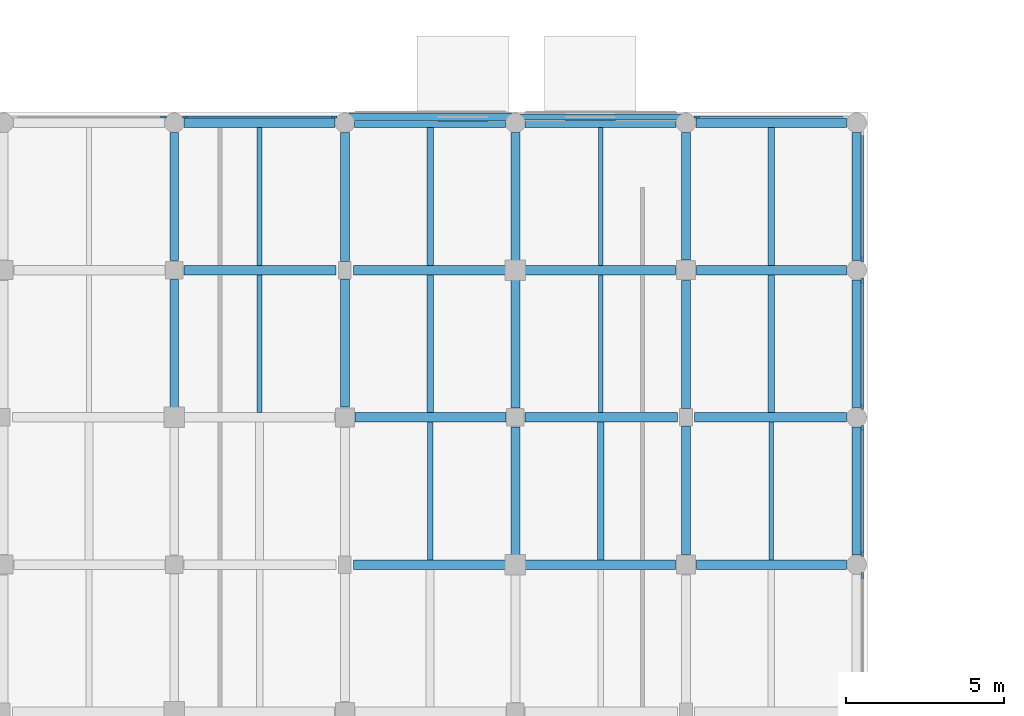
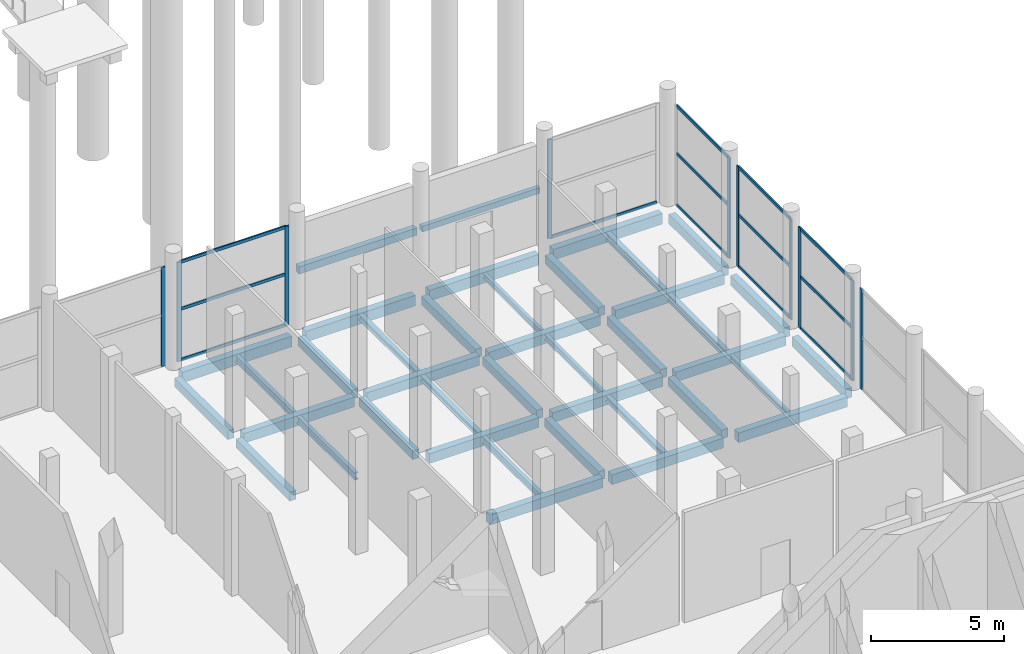
# One storey, part 29 of 88: 40 beams, 23 members, 7 elements without a shape of their own.
"""IFC4 building model written with IfcOpenShell, lengths in metres."""

from ifc_helpers import new_model, si_unit, direction, frame, origin, origin_2d, place, context, subcontext, project, spatial, rectangle, i_section, extrude, material, layer, layer_set, material_profile, profile_set, type_object, element, aggregate, save


model = new_model("IFC4")

# Units and contexts
model_context = context("Model", 3, precision=1e-05, world=origin(), true_north=direction((0.0, 1.0)))
body_context = subcontext(model_context, "Body", "Model", "MODEL_VIEW")
ifc_project = project(units=[si_unit("LENGTHUNIT", "METRE"), si_unit("AREAUNIT", "SQUARE_METRE"), si_unit("VOLUMEUNIT", "CUBIC_METRE"), si_unit("PLANEANGLEUNIT", "RADIAN"), si_unit("MASSUNIT", "GRAM", prefix="KILO")], contexts=[model_context])

# Site, building, storey
site_placement = place(None, origin())
site = spatial("IfcSite", under=ifc_project, at=site_placement, CompositionType="ELEMENT")
building_placement = place(site_placement, origin())
building = spatial("IfcBuilding", under=site, at=building_placement, Name="Birchvale Park Specialist Clinic", CompositionType="ELEMENT")
storey_placement = place(building_placement, origin())
storey = spatial("IfcBuildingStorey", under=building, at=storey_placement, Name="L00", CompositionType="ELEMENT", Elevation=0.0)

# Beams
ifc_material_1 = material(Name="Concrete C40/50", Category="concrete")
ifc_material_profile_1 = material_profile(ifc_material_1, rectangle(XDim=0.300048828125, YDim=0.489990234375, at=origin_2d()), Name="RCB-300x490")
ifc_profile_set_1 = profile_set([ifc_material_profile_1], Name="Concrete C40/50")
beam_type_1 = type_object("IfcBeamType", Name="BM-EXT-BG8", PredefinedType="BEAM", material=ifc_profile_set_1)
for number, where, z_axis, x_axis, name in (
    (1, (68.6171875, 63.050048828125, -0.56494140625), (1.0, 0.0, 0.0), (0.0, 1.0, 0.0), "V1 L00 X girder 43"),
    (2, (74.0029296875, 63.050048828125, -0.56494140625), (1.0, 0.0, 0.0), (0.0, 1.0, 0.0), "V1 L00 X girder 44"),
    (3, (79.388671875, 63.050048828125, -0.56494140625), (1.0, 0.0, 0.0), (0.0, 1.0, 0.0), "V1 L00 X girder 45"),
    (4, (84.7744140625, 63.050048828125, -0.56494140625), (1.0, 0.0, 0.0), (0.0, 1.0, 0.0), "V1 L00 X girder 46"),
):
    element("IfcBeam", number, at=place(storey_placement, frame(where, z_axis=z_axis, x_axis=x_axis)), inside=storey, type_object=beam_type_1, Name=name, PredefinedType="BEAM", context=body_context, shape_type="SweptSolid", body=[
        extrude(rectangle(XDim=0.300048828125, YDim=0.489990234375, at=origin_2d()), origin(), (0.0, 0.0, 1.0), 4.765625),
    ])
ifc_material_profile_2 = material_profile(ifc_material_1, rectangle(XDim=0.280029296875, YDim=0.43994140625, at=origin_2d()), Name="RCB-280x440")
ifc_profile_set_2 = profile_set([ifc_material_profile_2], Name="Concrete C40/50")
beam_type_2 = type_object("IfcBeamType", Name="BM-EXT-BG9", PredefinedType="BEAM", material=ifc_profile_set_2)
for number, where, z_axis, x_axis, name in (
    (5, (89.85009765625, 49.409912109375, -0.5400390625), (0.0, 1.0, 0.0), (-1.0, 0.0, 0.0), "V1 L00 Y girder 88"),
    (6, (89.85009765625, 54.06005859375, -0.5400390625), (0.0, 1.0, 0.0), (-1.0, 0.0, 0.0), "V1 L00 Y girder 89"),
    (7, (89.85009765625, 58.7099609375, -0.5400390625), (0.0, 1.0, 0.0), (-1.0, 0.0, 0.0), "V1 L00 Y girder 90"),
):
    element("IfcBeam", number, at=place(storey_placement, frame(where, z_axis=z_axis, x_axis=x_axis)), inside=storey, type_object=beam_type_2, Name=name, PredefinedType="BEAM", context=body_context, shape_type="SweptSolid", body=[
        extrude(rectangle(XDim=0.280029296875, YDim=0.43994140625, at=origin_2d()), origin(), (0.0, 0.0, 1.0), 4.030029296875),
    ])
ifc_material_profile_3 = material_profile(ifc_material_1, rectangle(XDim=0.300048828125, YDim=0.449951171875, at=origin_2d()), Name="RCB-300x450")
ifc_profile_set_3 = profile_set([ifc_material_profile_3], Name="Concrete C40/50")
beam_type_3 = type_object("IfcBeamType", Name="BM-INT-BG8", PredefinedType="BEAM", material=ifc_profile_set_3)
beam_1_placement = place(storey_placement, frame((73.968017578125, 49.10009765625, -0.544921875), z_axis=(1.0, 0.0, 0.0), x_axis=(0.0, 1.0, 0.0)))
element("IfcBeam", 8, at=beam_1_placement, inside=storey, type_object=beam_type_3, Name="V1 L00 X girder 23", PredefinedType="BEAM", context=body_context, shape_type="SweptSolid", body=[
    extrude(rectangle(XDim=0.300048828125, YDim=0.449951171875, at=origin_2d()), origin(), (0.0, 0.0, 1.0), 4.91064453125),
])
beam_2_placement = place(storey_placement, frame((79.278564453125, 49.10009765625, -0.544921875), z_axis=(1.0, 0.0, 0.0), x_axis=(0.0, 1.0, 0.0)))
element("IfcBeam", 9, at=beam_2_placement, inside=storey, type_object=beam_type_3, Name="V1 L00 X girder 24", PredefinedType="BEAM", context=body_context, shape_type="SweptSolid", body=[
    extrude(rectangle(XDim=0.300048828125, YDim=0.449951171875, at=origin_2d()), origin(), (0.0, 0.0, 1.0), 4.86083984375),
])
beam_3_placement = place(storey_placement, frame((84.789306640625, 49.10009765625, -0.544921875), z_axis=(1.0, 0.0, 0.0), x_axis=(0.0, 1.0, 0.0)))
element("IfcBeam", 10, at=beam_3_placement, inside=storey, type_object=beam_type_3, Name="V1 L00 X girder 25", PredefinedType="BEAM", context=body_context, shape_type="SweptSolid", body=[
    extrude(rectangle(XDim=0.300048828125, YDim=0.449951171875, at=origin_2d()), origin(), (0.0, 0.0, 1.0), 4.750732421875),
])
beam_4_placement = place(storey_placement, frame((74.017822265625, 53.75, -0.544921875), z_axis=(1.0, 0.0, 0.0), x_axis=(0.0, 1.0, 0.0)))
element("IfcBeam", 11, at=beam_4_placement, inside=storey, type_object=beam_type_3, Name="V1 L00 X girder 30", PredefinedType="BEAM", context=body_context, shape_type="SweptSolid", body=[
    extrude(rectangle(XDim=0.300048828125, YDim=0.449951171875, at=origin_2d()), origin(), (0.0, 0.0, 1.0), 4.7607421875),
])
beam_5_placement = place(storey_placement, frame((79.378662109375, 53.75, -0.544921875), z_axis=(1.0, 0.0, 0.0), x_axis=(0.0, 1.0, 0.0)))
element("IfcBeam", 12, at=beam_5_placement, inside=storey, type_object=beam_type_3, Name="V1 L00 X girder 31", PredefinedType="BEAM", context=body_context, shape_type="SweptSolid", body=[
    extrude(rectangle(XDim=0.300048828125, YDim=0.449951171875, at=origin_2d()), origin(), (0.0, 0.0, 1.0), 4.810546875),
])
beam_6_placement = place(storey_placement, frame((84.7392578125, 53.75, -0.544921875), z_axis=(1.0, 0.0, 0.0), x_axis=(0.0, 1.0, 0.0)))
element("IfcBeam", 13, at=beam_6_placement, inside=storey, type_object=beam_type_3, Name="V1 L00 X girder 32", PredefinedType="BEAM", context=body_context, shape_type="SweptSolid", body=[
    extrude(rectangle(XDim=0.300048828125, YDim=0.449951171875, at=origin_2d()), origin(), (0.0, 0.0, 1.0), 4.80078125),
])
beam_7_placement = place(storey_placement, frame((68.607177734375, 58.39990234375, -0.544921875), z_axis=(1.0, 0.0, 0.0), x_axis=(0.0, 1.0, 0.0)))
element("IfcBeam", 14, at=beam_7_placement, inside=storey, type_object=beam_type_3, Name="V1 L00 X girder 36", PredefinedType="BEAM", context=body_context, shape_type="SweptSolid", body=[
    extrude(rectangle(XDim=0.300048828125, YDim=0.449951171875, at=origin_2d()), origin(), (0.0, 0.0, 1.0), 4.810791015625),
])
beam_8_placement = place(storey_placement, frame((73.968017578125, 58.39990234375, -0.544921875), z_axis=(1.0, 0.0, 0.0), x_axis=(0.0, 1.0, 0.0)))
element("IfcBeam", 15, at=beam_8_placement, inside=storey, type_object=beam_type_3, Name="V1 L00 X girder 37", PredefinedType="BEAM", context=body_context, shape_type="SweptSolid", body=[
    extrude(rectangle(XDim=0.300048828125, YDim=0.449951171875, at=origin_2d()), origin(), (0.0, 0.0, 1.0), 4.91064453125),
])
beam_9_placement = place(storey_placement, frame((79.278564453125, 58.39990234375, -0.544921875), z_axis=(1.0, 0.0, 0.0), x_axis=(0.0, 1.0, 0.0)))
element("IfcBeam", 16, at=beam_9_placement, inside=storey, type_object=beam_type_3, Name="V1 L00 X girder 38", PredefinedType="BEAM", context=body_context, shape_type="SweptSolid", body=[
    extrude(rectangle(XDim=0.300048828125, YDim=0.449951171875, at=origin_2d()), origin(), (0.0, 0.0, 1.0), 4.86083984375),
])
beam_10_placement = place(storey_placement, frame((84.789306640625, 58.39990234375, -0.544921875), z_axis=(1.0, 0.0, 0.0), x_axis=(0.0, 1.0, 0.0)))
element("IfcBeam", 17, at=beam_10_placement, inside=storey, type_object=beam_type_3, Name="V1 L00 X girder 39", PredefinedType="BEAM", context=body_context, shape_type="SweptSolid", body=[
    extrude(rectangle(XDim=0.300048828125, YDim=0.449951171875, at=origin_2d()), origin(), (0.0, 0.0, 1.0), 4.750732421875),
])
ifc_material_profile_4 = material_profile(ifc_material_1, rectangle(XDim=0.280029296875, YDim=0.39990234375, at=origin_2d()), Name="RCB-280x400")
ifc_profile_set_4 = profile_set([ifc_material_profile_4], Name="Concrete C40/50")
beam_type_4 = type_object("IfcBeamType", Name="BM-INT-BG9", PredefinedType="BEAM", material=ifc_profile_set_4)
beam_11_placement = place(storey_placement, frame((68.30712890625, 54.02490234375, -0.52001953125), z_axis=(0.0, 1.0, 0.0), x_axis=(-1.0, 0.0, 0.0)))
element("IfcBeam", 18, at=beam_11_placement, inside=storey, type_object=beam_type_4, Name="V1 L00 Y girder 65", PredefinedType="BEAM", context=body_context, shape_type="SweptSolid", body=[
    extrude(rectangle(XDim=0.280029296875, YDim=0.39990234375, at=origin_2d()), origin(), (0.0, 0.0, 1.0), 4.0751953125),
])
beam_12_placement = place(storey_placement, frame((68.30712890625, 58.699951171875, -0.52001953125), z_axis=(0.0, 1.0, 0.0), x_axis=(-1.0, 0.0, 0.0)))
element("IfcBeam", 19, at=beam_12_placement, inside=storey, type_object=beam_type_4, Name="V1 L00 Y girder 66", PredefinedType="BEAM", context=body_context, shape_type="SweptSolid", body=[
    extrude(rectangle(XDim=0.280029296875, YDim=0.39990234375, at=origin_2d()), origin(), (0.0, 0.0, 1.0), 4.0400390625),
])
beam_13_placement = place(storey_placement, frame((73.69287109375, 54.074951171875, -0.52001953125), z_axis=(0.0, 1.0, 0.0), x_axis=(-1.0, 0.0, 0.0)))
element("IfcBeam", 20, at=beam_13_placement, inside=storey, type_object=beam_type_4, Name="V1 L00 Y girder 71", PredefinedType="BEAM", context=body_context, shape_type="SweptSolid", body=[
    extrude(rectangle(XDim=0.280029296875, YDim=0.39990234375, at=origin_2d()), origin(), (0.0, 0.0, 1.0), 4.050048828125),
])
beam_14_placement = place(storey_placement, frame((73.69287109375, 58.675048828125, -0.52001953125), z_axis=(0.0, 1.0, 0.0), x_axis=(-1.0, 0.0, 0.0)))
element("IfcBeam", 21, at=beam_14_placement, inside=storey, type_object=beam_type_4, Name="V1 L00 Y girder 72", PredefinedType="BEAM", context=body_context, shape_type="SweptSolid", body=[
    extrude(rectangle(XDim=0.280029296875, YDim=0.39990234375, at=origin_2d()), origin(), (0.0, 0.0, 1.0), 4.06494140625),
])
for number, where, z_axis, x_axis, name in (
    (22, (79.07861328125, 49.375, -0.52001953125), (0.0, 1.0, 0.0), (-1.0, 0.0, 0.0), "V1 L00 Y girder 76"),
    (23, (79.07861328125, 54.050048828125, -0.52001953125), (0.0, 1.0, 0.0), (-1.0, 0.0, 0.0), "V1 L00 Y girder 77"),
):
    element("IfcBeam", number, at=place(storey_placement, frame(where, z_axis=z_axis, x_axis=x_axis)), inside=storey, type_object=beam_type_4, Name=name, PredefinedType="BEAM", context=body_context, shape_type="SweptSolid", body=[
        extrude(rectangle(XDim=0.280029296875, YDim=0.39990234375, at=origin_2d()), origin(), (0.0, 0.0, 1.0), 4.074951171875),
    ])
beam_15_placement = place(storey_placement, frame((79.07861328125, 58.675048828125, -0.52001953125), z_axis=(0.0, 1.0, 0.0), x_axis=(-1.0, 0.0, 0.0)))
element("IfcBeam", 24, at=beam_15_placement, inside=storey, type_object=beam_type_4, Name="V1 L00 Y girder 78", PredefinedType="BEAM", context=body_context, shape_type="SweptSolid", body=[
    extrude(rectangle(XDim=0.280029296875, YDim=0.39990234375, at=origin_2d()), origin(), (0.0, 0.0, 1.0), 4.06494140625),
])
for number, where, z_axis, x_axis, name in (
    (25, (84.46435546875, 49.425048828125, -0.52001953125), (0.0, 1.0, 0.0), (-1.0, 0.0, 0.0), "V1 L00 Y girder 82"),
    (26, (84.46435546875, 54.02490234375, -0.52001953125), (0.0, 1.0, 0.0), (-1.0, 0.0, 0.0), "V1 L00 Y girder 83"),
):
    element("IfcBeam", number, at=place(storey_placement, frame(where, z_axis=z_axis, x_axis=x_axis)), inside=storey, type_object=beam_type_4, Name=name, PredefinedType="BEAM", context=body_context, shape_type="SweptSolid", body=[
        extrude(rectangle(XDim=0.280029296875, YDim=0.39990234375, at=origin_2d()), origin(), (0.0, 0.0, 1.0), 4.050048828125),
    ])
beam_16_placement = place(storey_placement, frame((84.46435546875, 58.72509765625, -0.52001953125), z_axis=(0.0, 1.0, 0.0), x_axis=(-1.0, 0.0, 0.0)))
element("IfcBeam", 27, at=beam_16_placement, inside=storey, type_object=beam_type_4, Name="V1 L00 Y girder 84", PredefinedType="BEAM", context=body_context, shape_type="SweptSolid", body=[
    extrude(rectangle(XDim=0.280029296875, YDim=0.39990234375, at=origin_2d()), origin(), (0.0, 0.0, 1.0), 4.014892578125),
])

# Curtain wall, member
ifc_material_2 = material(Name="Thermally broken anodised aluminium", Category="aluminium")
ifc_layer = layer(ifc_material_2, 0.195068359375)
ifc_layer_set = layer_set([ifc_layer], Name="Thermally broken anodised aluminium")
curtain_wall_type = type_object("IfcCurtainWallType", Name="CW-U2", PredefinedType="USERDEFINED", material=ifc_layer_set)
curtain_wall_1_placement = place(storey_placement, origin())
curtain_wall_1 = element("IfcCurtainWall", 28, at=curtain_wall_1_placement, inside=storey, type_object=curtain_wall_type, Name="V1 L00 glazed curtain wall 2", ObjectType="UNITISED", PredefinedType="USERDEFINED")
ifc_material_profile_5 = material_profile(ifc_material_2, rectangle(XDim=0.06494140625, YDim=0.179931640625, at=origin_2d()), Name="CWM-65x180")
ifc_profile_set_5 = profile_set([ifc_material_profile_5], Name="Thermally broken anodised aluminium")
member_type_1 = type_object("IfcMemberType", Name="CWM2", PredefinedType="MULLION", material=ifc_profile_set_5)
member_1_placement = place(storey_placement, frame((90.034912109375, 48.757568359375, 0.0), z_axis=(0.0, 0.0, 1.0), x_axis=(-1.0, 0.0, 0.0)))
member_1 = element("IfcMember", 29, at=member_1_placement, type_object=member_type_1, Name="CW mullion 2", PredefinedType="MULLION", context=body_context, shape_type="SweptSolid", body=[
    extrude(rectangle(XDim=0.06494140625, YDim=0.179931640625, at=origin_2d()), origin(), (0.0, 0.0, 1.0), 4.625),
])
aggregate(curtain_wall_1, [member_1])

# Curtain wall, members
curtain_wall_2_placement = place(storey_placement, origin())
curtain_wall_2 = element("IfcCurtainWall", 30, at=curtain_wall_2_placement, inside=storey, type_object=curtain_wall_type, Name="V1 L00 glazed curtain wall 3", ObjectType="UNITISED", PredefinedType="USERDEFINED")
member_2_placement = place(storey_placement, frame((90.034912109375, 49.4423828125, 0.0), z_axis=(0.0, 0.0, 1.0), x_axis=(-1.0, 0.0, 0.0)))
member_2 = element("IfcMember", 31, at=member_2_placement, type_object=member_type_1, Name="CW mullion 1", PredefinedType="MULLION", context=body_context, shape_type="SweptSolid", body=[
    extrude(rectangle(XDim=0.06494140625, YDim=0.179931640625, at=origin_2d()), origin(), (0.0, 0.0, 1.0), 4.625),
])
member_3_placement = place(storey_placement, frame((90.034912109375, 53.407470703125, 0.0), z_axis=(0.0, 0.0, 1.0), x_axis=(-1.0, 0.0, 0.0)))
member_3 = element("IfcMember", 32, at=member_3_placement, type_object=member_type_1, Name="CW mullion 2", PredefinedType="MULLION", context=body_context, shape_type="SweptSolid", body=[
    extrude(rectangle(XDim=0.06494140625, YDim=0.179931640625, at=origin_2d()), origin(), (0.0, 0.0, 1.0), 4.625),
])

curtain_wall_3_placement = place(storey_placement, origin())
curtain_wall_3 = element("IfcCurtainWall", 33, at=curtain_wall_3_placement, inside=storey, type_object=curtain_wall_type, Name="V1 L00 glazed curtain wall 4", ObjectType="UNITISED", PredefinedType="USERDEFINED")
member_4_placement = place(storey_placement, frame((90.034912109375, 54.092529296875, 0.0), z_axis=(0.0, 0.0, 1.0), x_axis=(-1.0, 0.0, 0.0)))
member_4 = element("IfcMember", 34, at=member_4_placement, type_object=member_type_1, Name="CW mullion 1", PredefinedType="MULLION", context=body_context, shape_type="SweptSolid", body=[
    extrude(rectangle(XDim=0.06494140625, YDim=0.179931640625, at=origin_2d()), origin(), (0.0, 0.0, 1.0), 4.625),
])
member_5_placement = place(storey_placement, frame((90.034912109375, 58.0576171875, 0.0), z_axis=(0.0, 0.0, 1.0), x_axis=(-1.0, 0.0, 0.0)))
member_5 = element("IfcMember", 35, at=member_5_placement, type_object=member_type_1, Name="CW mullion 2", PredefinedType="MULLION", context=body_context, shape_type="SweptSolid", body=[
    extrude(rectangle(XDim=0.06494140625, YDim=0.179931640625, at=origin_2d()), origin(), (0.0, 0.0, 1.0), 4.625),
])

# Curtain wall, member
curtain_wall_4_placement = place(storey_placement, origin())
curtain_wall_4 = element("IfcCurtainWall", 36, at=curtain_wall_4_placement, inside=storey, type_object=curtain_wall_type, Name="V1 L00 glazed curtain wall 5", ObjectType="UNITISED", PredefinedType="USERDEFINED")
member_6_placement = place(storey_placement, frame((90.034912109375, 58.742431640625, 0.0), z_axis=(0.0, 0.0, 1.0), x_axis=(-1.0, 0.0, 0.0)))
member_6 = element("IfcMember", 37, at=member_6_placement, type_object=member_type_1, Name="CW mullion 1", PredefinedType="MULLION", context=body_context, shape_type="SweptSolid", body=[
    extrude(rectangle(XDim=0.06494140625, YDim=0.179931640625, at=origin_2d()), origin(), (0.0, 0.0, 1.0), 4.625),
])

curtain_wall_5_placement = place(storey_placement, origin())
curtain_wall_5 = element("IfcCurtainWall", 38, at=curtain_wall_5_placement, inside=storey, type_object=curtain_wall_type, Name="V1 L00 glazed curtain wall 6", ObjectType="UNITISED", PredefinedType="USERDEFINED")
member_7_placement = place(storey_placement, frame((84.806884765625, 63.235107421875, 0.0), z_axis=(0.0, 0.0, 1.0), x_axis=(0.0, -1.0, 0.0)))
member_7 = element("IfcMember", 39, at=member_7_placement, type_object=member_type_1, Name="CW mullion 2", PredefinedType="MULLION", context=body_context, shape_type="SweptSolid", body=[
    extrude(rectangle(XDim=0.06494140625, YDim=0.179931640625, at=origin_2d()), origin(), (0.0, 0.0, 1.0), 4.574951171875),
])

# Curtain wall, members
curtain_wall_6_placement = place(storey_placement, origin())
curtain_wall_6 = element("IfcCurtainWall", 40, at=curtain_wall_6_placement, inside=storey, type_object=curtain_wall_type, Name="V1 L00 glazed curtain wall 7", ObjectType="UNITISED", PredefinedType="USERDEFINED")
member_8_placement = place(storey_placement, frame((73.350341796875, 63.235107421875, 0.0), z_axis=(0.0, 0.0, 1.0), x_axis=(0.0, -1.0, 0.0)))
member_8 = element("IfcMember", 41, at=member_8_placement, type_object=member_type_1, Name="CW mullion 1", PredefinedType="MULLION", context=body_context, shape_type="SweptSolid", body=[
    extrude(rectangle(XDim=0.06494140625, YDim=0.179931640625, at=origin_2d()), origin(), (0.0, 0.0, 1.0), 4.574951171875),
])
member_9_placement = place(storey_placement, frame((68.649658203125, 63.235107421875, 0.0), z_axis=(0.0, 0.0, 1.0), x_axis=(0.0, -1.0, 0.0)))
member_9 = element("IfcMember", 42, at=member_9_placement, type_object=member_type_1, Name="CW mullion 2", PredefinedType="MULLION", context=body_context, shape_type="SweptSolid", body=[
    extrude(rectangle(XDim=0.06494140625, YDim=0.179931640625, at=origin_2d()), origin(), (0.0, 0.0, 1.0), 4.574951171875),
])

# Curtain wall, member
curtain_wall_7_placement = place(storey_placement, origin())
curtain_wall_7 = element("IfcCurtainWall", 43, at=curtain_wall_7_placement, inside=storey, type_object=curtain_wall_type, Name="V1 L00 glazed curtain wall 8", ObjectType="UNITISED", PredefinedType="USERDEFINED")
member_10_placement = place(storey_placement, frame((67.964599609375, 63.235107421875, 0.0), z_axis=(0.0, 0.0, 1.0), x_axis=(0.0, -1.0, 0.0)))
member_10 = element("IfcMember", 44, at=member_10_placement, type_object=member_type_1, Name="CW mullion 1", PredefinedType="MULLION", context=body_context, shape_type="SweptSolid", body=[
    extrude(rectangle(XDim=0.06494140625, YDim=0.179931640625, at=origin_2d()), origin(), (0.0, 0.0, 1.0), 4.574951171875),
])
aggregate(curtain_wall_7, [member_10])

# Member
ifc_material_profile_6 = material_profile(ifc_material_2, rectangle(XDim=0.06494140625, YDim=0.139892578125, at=origin_2d()), Name="CWT-65x140")
ifc_profile_set_6 = profile_set([ifc_material_profile_6], Name="Thermally broken anodised aluminium")
member_type_2 = type_object("IfcMemberType", Name="CWT2", PredefinedType="USERDEFINED", material=ifc_profile_set_6)
member_11_placement = place(storey_placement, frame((90.034912109375, 49.47509765625, 0.032470703125), z_axis=(0.0, 1.0, 0.0), x_axis=(-1.0, 0.0, 0.0)))
member_11 = element("IfcMember", 45, at=member_11_placement, type_object=member_type_2, Name="CW transom 1.1", ObjectType="TRANSOM", PredefinedType="USERDEFINED", context=body_context, shape_type="SweptSolid", body=[
    extrude(rectangle(XDim=0.06494140625, YDim=0.139892578125, at=origin_2d()), origin(), (0.0, 0.0, 1.0), 3.89990234375),
])

member_12_placement = place(storey_placement, frame((90.034912109375, 49.47509765625, 2.405029296875), z_axis=(0.0, 1.0, 0.0), x_axis=(-1.0, 0.0, 0.0)))
member_12 = element("IfcMember", 46, at=member_12_placement, type_object=member_type_2, Name="CW transom 1.2", ObjectType="TRANSOM", PredefinedType="USERDEFINED", context=body_context, shape_type="SweptSolid", body=[
    extrude(rectangle(XDim=0.06494140625, YDim=0.139892578125, at=origin_2d()), origin(), (0.0, 0.0, 1.0), 3.89990234375),
])

member_13_placement = place(storey_placement, frame((90.034912109375, 49.47509765625, 4.592529296875), z_axis=(0.0, 1.0, 0.0), x_axis=(-1.0, 0.0, 0.0)))
member_13 = element("IfcMember", 47, at=member_13_placement, type_object=member_type_2, Name="CW transom 1.3", ObjectType="TRANSOM", PredefinedType="USERDEFINED", context=body_context, shape_type="SweptSolid", body=[
    extrude(rectangle(XDim=0.06494140625, YDim=0.139892578125, at=origin_2d()), origin(), (0.0, 0.0, 1.0), 3.89990234375),
])

aggregate(curtain_wall_2, [member_2, member_3, member_11, member_12, member_13])

member_14_placement = place(storey_placement, frame((90.034912109375, 54.125, 0.032470703125), z_axis=(0.0, 1.0, 0.0), x_axis=(-1.0, 0.0, 0.0)))
member_14 = element("IfcMember", 48, at=member_14_placement, type_object=member_type_2, Name="CW transom 1.1", ObjectType="TRANSOM", PredefinedType="USERDEFINED", context=body_context, shape_type="SweptSolid", body=[
    extrude(rectangle(XDim=0.06494140625, YDim=0.139892578125, at=origin_2d()), origin(), (0.0, 0.0, 1.0), 3.89990234375),
])

member_15_placement = place(storey_placement, frame((90.034912109375, 54.125, 2.405029296875), z_axis=(0.0, 1.0, 0.0), x_axis=(-1.0, 0.0, 0.0)))
member_15 = element("IfcMember", 49, at=member_15_placement, type_object=member_type_2, Name="CW transom 1.2", ObjectType="TRANSOM", PredefinedType="USERDEFINED", context=body_context, shape_type="SweptSolid", body=[
    extrude(rectangle(XDim=0.06494140625, YDim=0.139892578125, at=origin_2d()), origin(), (0.0, 0.0, 1.0), 3.89990234375),
])

member_16_placement = place(storey_placement, frame((90.034912109375, 54.125, 4.592529296875), z_axis=(0.0, 1.0, 0.0), x_axis=(-1.0, 0.0, 0.0)))
member_16 = element("IfcMember", 50, at=member_16_placement, type_object=member_type_2, Name="CW transom 1.3", ObjectType="TRANSOM", PredefinedType="USERDEFINED", context=body_context, shape_type="SweptSolid", body=[
    extrude(rectangle(XDim=0.06494140625, YDim=0.139892578125, at=origin_2d()), origin(), (0.0, 0.0, 1.0), 3.89990234375),
])

aggregate(curtain_wall_3, [member_4, member_5, member_14, member_15, member_16])

member_17_placement = place(storey_placement, frame((90.034912109375, 58.77490234375, 0.032470703125), z_axis=(0.0, 1.0, 0.0), x_axis=(-1.0, 0.0, 0.0)))
member_17 = element("IfcMember", 51, at=member_17_placement, type_object=member_type_2, Name="CW transom 1.1", ObjectType="TRANSOM", PredefinedType="USERDEFINED", context=body_context, shape_type="SweptSolid", body=[
    extrude(rectangle(XDim=0.06494140625, YDim=0.139892578125, at=origin_2d()), origin(), (0.0, 0.0, 1.0), 3.900146484375),
])

member_18_placement = place(storey_placement, frame((90.034912109375, 58.77490234375, 2.405029296875), z_axis=(0.0, 1.0, 0.0), x_axis=(-1.0, 0.0, 0.0)))
member_18 = element("IfcMember", 52, at=member_18_placement, type_object=member_type_2, Name="CW transom 1.2", ObjectType="TRANSOM", PredefinedType="USERDEFINED", context=body_context, shape_type="SweptSolid", body=[
    extrude(rectangle(XDim=0.06494140625, YDim=0.139892578125, at=origin_2d()), origin(), (0.0, 0.0, 1.0), 3.900146484375),
])

member_19_placement = place(storey_placement, frame((90.034912109375, 58.77490234375, 4.592529296875), z_axis=(0.0, 1.0, 0.0), x_axis=(-1.0, 0.0, 0.0)))
member_19 = element("IfcMember", 53, at=member_19_placement, type_object=member_type_2, Name="CW transom 1.3", ObjectType="TRANSOM", PredefinedType="USERDEFINED", context=body_context, shape_type="SweptSolid", body=[
    extrude(rectangle(XDim=0.06494140625, YDim=0.139892578125, at=origin_2d()), origin(), (0.0, 0.0, 1.0), 3.900146484375),
])

aggregate(curtain_wall_4, [member_6, member_17, member_18, member_19])

member_20_placement = place(storey_placement, frame((89.47509765625, 63.235107421875, 0.032470703125), z_axis=(-1.0, 0.0, 0.0), x_axis=(0.0, -1.0, 0.0)))
member_20 = element("IfcMember", 54, at=member_20_placement, type_object=member_type_2, Name="CW transom 1.1", ObjectType="TRANSOM", PredefinedType="USERDEFINED", context=body_context, shape_type="SweptSolid", body=[
    extrude(rectangle(XDim=0.06494140625, YDim=0.139892578125, at=origin_2d()), origin(), (0.0, 0.0, 1.0), 4.6357421875),
])

aggregate(curtain_wall_5, [member_7, member_20])

member_21_placement = place(storey_placement, frame((73.31787109375, 63.235107421875, 0.032470703125), z_axis=(-1.0, 0.0, 0.0), x_axis=(0.0, -1.0, 0.0)))
member_21 = element("IfcMember", 55, at=member_21_placement, type_object=member_type_2, Name="CW transom 1.1", ObjectType="TRANSOM", PredefinedType="USERDEFINED", context=body_context, shape_type="SweptSolid", body=[
    extrude(rectangle(XDim=0.06494140625, YDim=0.139892578125, at=origin_2d()), origin(), (0.0, 0.0, 1.0), 4.6357421875),
])

member_22_placement = place(storey_placement, frame((73.31787109375, 63.235107421875, 2.37890625), z_axis=(-1.0, 0.0, 0.0), x_axis=(0.0, -1.0, 0.0)))
member_22 = element("IfcMember", 56, at=member_22_placement, type_object=member_type_2, Name="CW transom 1.2", ObjectType="TRANSOM", PredefinedType="USERDEFINED", context=body_context, shape_type="SweptSolid", body=[
    extrude(rectangle(XDim=0.06494140625, YDim=0.139892578125, at=origin_2d()), origin(), (0.0, 0.0, 1.0), 4.6357421875),
])

member_23_placement = place(storey_placement, frame((73.31787109375, 63.235107421875, 4.54248046875), z_axis=(-1.0, 0.0, 0.0), x_axis=(0.0, -1.0, 0.0)))
member_23 = element("IfcMember", 57, at=member_23_placement, type_object=member_type_2, Name="CW transom 1.3", ObjectType="TRANSOM", PredefinedType="USERDEFINED", context=body_context, shape_type="SweptSolid", body=[
    extrude(rectangle(XDim=0.06494140625, YDim=0.139892578125, at=origin_2d()), origin(), (0.0, 0.0, 1.0), 4.6357421875),
])

aggregate(curtain_wall_6, [member_8, member_9, member_21, member_22, member_23])

# Beams
ifc_material_profile_7 = material_profile(ifc_material_1, rectangle(XDim=0.25, YDim=0.340087890625, at=origin_2d()), Name="LNT-250x340")
ifc_profile_set_7 = profile_set([ifc_material_profile_7], Name="Concrete C40/50")
beam_type_5 = type_object("IfcBeamType", Name="LNT-EXT-LN1", PredefinedType="LINTEL", material=ifc_profile_set_7)
beam_17_placement = place(storey_placement, frame((78.95361328125, 63.235107421875, 2.419921875), z_axis=(-1.0, 0.0, 0.0), x_axis=(0.0, -1.0, 0.0)))
element("IfcBeam", 58, at=beam_17_placement, inside=storey, type_object=beam_type_5, Name="V1 L00 exit opening lintel 3", PredefinedType="LINTEL", context=body_context, shape_type="SweptSolid", body=[
    extrude(rectangle(XDim=0.25, YDim=0.340087890625, at=origin_2d()), origin(), (0.0, 0.0, 1.0), 5.1357421875),
])
ifc_material_profile_8 = material_profile(ifc_material_1, rectangle(XDim=0.199951171875, YDim=0.260009765625, at=origin_2d()), Name="LNT-200x260")
ifc_profile_set_8 = profile_set([ifc_material_profile_8], Name="Concrete C40/50")
beam_type_6 = type_object("IfcBeamType", Name="LNT-EXT-LN3", PredefinedType="LINTEL", material=ifc_profile_set_8)
beam_18_placement = place(storey_placement, frame((84.33935546875, 63.235107421875, 2.419921875), z_axis=(-1.0, 0.0, 0.0), x_axis=(0.0, -1.0, 0.0)))
element("IfcBeam", 59, at=beam_18_placement, inside=storey, type_object=beam_type_6, Name="V1 L00 exit opening lintel 2", PredefinedType="LINTEL", context=body_context, shape_type="SweptSolid", body=[
    extrude(rectangle(XDim=0.199951171875, YDim=0.260009765625, at=origin_2d()), origin(), (0.0, 0.0, 1.0), 5.1357421875),
])
ifc_material_3 = material(Name="Steel ASTM A992 Grade 50", Category="steel")
ifc_material_profile_9 = material_profile(ifc_material_3, i_section(OverallWidth=0.2041015625, OverallDepth=0.35107421875, WebThickness=0.008544921875, FlangeThickness=0.01513671875, at=origin_2d()), Name="W14X48")
ifc_profile_set_9 = profile_set([ifc_material_profile_9], Name="Steel ASTM A992 Grade 50")
beam_type_7 = type_object("IfcBeamType", Name="STL-INT-SJ1", PredefinedType="JOIST", material=ifc_profile_set_9)
beam_19_placement = place(storey_placement, frame((87.1572265625, 53.89990234375, -0.49560546875), z_axis=(0.0, 1.0, 0.0), x_axis=(-1.0, 0.0, 0.0)))
element("IfcBeam", 60, at=beam_19_placement, inside=storey, type_object=beam_type_7, Name="V1 L00 secondary floor joist 37", PredefinedType="JOIST", context=body_context, shape_type="SweptSolid", body=[
    extrude(i_section(OverallWidth=0.2041015625, OverallDepth=0.35107421875, WebThickness=0.008544921875, FlangeThickness=0.01513671875, at=origin_2d()), origin(), (0.0, 0.0, 1.0), 4.35009765625),
])
beam_20_placement = place(storey_placement, frame((87.1572265625, 58.550048828125, -0.49560546875), z_axis=(0.0, 1.0, 0.0), x_axis=(-1.0, 0.0, 0.0)))
element("IfcBeam", 61, at=beam_20_placement, inside=storey, type_object=beam_type_7, Name="V1 L00 secondary floor joist 38", PredefinedType="JOIST", context=body_context, shape_type="SweptSolid", body=[
    extrude(i_section(OverallWidth=0.2041015625, OverallDepth=0.35107421875, WebThickness=0.008544921875, FlangeThickness=0.01513671875, at=origin_2d()), origin(), (0.0, 0.0, 1.0), 4.349853515625),
])
ifc_material_profile_10 = material_profile(ifc_material_3, i_section(OverallWidth=0.1669921875, OverallDepth=0.31689453125, WebThickness=0.007568359375, FlangeThickness=0.01318359375, at=origin_2d()), Name="W12X35")
ifc_profile_set_10 = profile_set([ifc_material_profile_10], Name="Steel ASTM A992 Grade 50")
beam_type_8 = type_object("IfcBeamType", Name="STL-INT-SJ3", PredefinedType="JOIST", material=ifc_profile_set_10)
beam_21_placement = place(storey_placement, frame((71.0, 53.89990234375, -0.478515625), z_axis=(0.0, 1.0, 0.0), x_axis=(-1.0, 0.0, 0.0)))
element("IfcBeam", 62, at=beam_21_placement, inside=storey, type_object=beam_type_8, Name="V1 L00 secondary floor joist 19", PredefinedType="JOIST", context=body_context, shape_type="SweptSolid", body=[
    extrude(i_section(OverallWidth=0.1669921875, OverallDepth=0.31689453125, WebThickness=0.007568359375, FlangeThickness=0.01318359375, at=origin_2d()), origin(), (0.0, 0.0, 1.0), 4.35009765625),
])
beam_22_placement = place(storey_placement, frame((71.0, 58.550048828125, -0.478515625), z_axis=(0.0, 1.0, 0.0), x_axis=(-1.0, 0.0, 0.0)))
element("IfcBeam", 63, at=beam_22_placement, inside=storey, type_object=beam_type_8, Name="V1 L00 secondary floor joist 20", PredefinedType="JOIST", context=body_context, shape_type="SweptSolid", body=[
    extrude(i_section(OverallWidth=0.1669921875, OverallDepth=0.31689453125, WebThickness=0.007568359375, FlangeThickness=0.01318359375, at=origin_2d()), origin(), (0.0, 0.0, 1.0), 4.349853515625),
])
beam_23_placement = place(storey_placement, frame((76.3857421875, 49.25, -0.478515625), z_axis=(0.0, 1.0, 0.0), x_axis=(-1.0, 0.0, 0.0)))
element("IfcBeam", 64, at=beam_23_placement, inside=storey, type_object=beam_type_8, Name="V1 L00 secondary floor joist 24", PredefinedType="JOIST", context=body_context, shape_type="SweptSolid", body=[
    extrude(i_section(OverallWidth=0.1669921875, OverallDepth=0.31689453125, WebThickness=0.007568359375, FlangeThickness=0.01318359375, at=origin_2d()), origin(), (0.0, 0.0, 1.0), 4.35009765625),
])
ifc_material_profile_11 = material_profile(ifc_material_3, i_section(OverallWidth=0.202880859375, OverallDepth=0.251953125, WebThickness=0.008056640625, FlangeThickness=0.013427734375, at=origin_2d()), Name="W10X39")
ifc_profile_set_11 = profile_set([ifc_material_profile_11], Name="Steel ASTM A992 Grade 50")
beam_type_9 = type_object("IfcBeamType", Name="STL-INT-SJ4", PredefinedType="JOIST", material=ifc_profile_set_11)
beam_24_placement = place(storey_placement, frame((76.3857421875, 53.89990234375, -0.446044921875), z_axis=(0.0, 1.0, 0.0), x_axis=(-1.0, 0.0, 0.0)))
element("IfcBeam", 65, at=beam_24_placement, inside=storey, type_object=beam_type_9, Name="V1 L00 secondary floor joist 25", PredefinedType="JOIST", context=body_context, shape_type="SweptSolid", body=[
    extrude(i_section(OverallWidth=0.202880859375, OverallDepth=0.251953125, WebThickness=0.008056640625, FlangeThickness=0.013427734375, at=origin_2d()), origin(), (0.0, 0.0, 1.0), 4.35009765625),
])
beam_25_placement = place(storey_placement, frame((76.3857421875, 58.550048828125, -0.446044921875), z_axis=(0.0, 1.0, 0.0), x_axis=(-1.0, 0.0, 0.0)))
element("IfcBeam", 66, at=beam_25_placement, inside=storey, type_object=beam_type_9, Name="V1 L00 secondary floor joist 26", PredefinedType="JOIST", context=body_context, shape_type="SweptSolid", body=[
    extrude(i_section(OverallWidth=0.202880859375, OverallDepth=0.251953125, WebThickness=0.008056640625, FlangeThickness=0.013427734375, at=origin_2d()), origin(), (0.0, 0.0, 1.0), 4.349853515625),
])
beam_26_placement = place(storey_placement, frame((81.771484375, 49.25, -0.446044921875), z_axis=(0.0, 1.0, 0.0), x_axis=(-1.0, 0.0, 0.0)))
element("IfcBeam", 67, at=beam_26_placement, inside=storey, type_object=beam_type_9, Name="V1 L00 secondary floor joist 30", PredefinedType="JOIST", context=body_context, shape_type="SweptSolid", body=[
    extrude(i_section(OverallWidth=0.202880859375, OverallDepth=0.251953125, WebThickness=0.008056640625, FlangeThickness=0.013427734375, at=origin_2d()), origin(), (0.0, 0.0, 1.0), 4.35009765625),
])
ifc_material_profile_12 = material_profile(ifc_material_3, i_section(OverallWidth=0.14697265625, OverallDepth=0.261962890625, WebThickness=0.006591796875, FlangeThickness=0.01123046875, at=origin_2d()), Name="W10X26")
ifc_profile_set_12 = profile_set([ifc_material_profile_12], Name="Steel ASTM A992 Grade 50")
beam_type_10 = type_object("IfcBeamType", Name="STL-INT-SJ5", PredefinedType="JOIST", material=ifc_profile_set_12)
beam_27_placement = place(storey_placement, frame((81.771484375, 53.89990234375, -0.450927734375), z_axis=(0.0, 1.0, 0.0), x_axis=(-1.0, 0.0, 0.0)))
element("IfcBeam", 68, at=beam_27_placement, inside=storey, type_object=beam_type_10, Name="V1 L00 secondary floor joist 31", PredefinedType="JOIST", context=body_context, shape_type="SweptSolid", body=[
    extrude(i_section(OverallWidth=0.14697265625, OverallDepth=0.261962890625, WebThickness=0.006591796875, FlangeThickness=0.01123046875, at=origin_2d()), origin(), (0.0, 0.0, 1.0), 4.35009765625),
])
beam_28_placement = place(storey_placement, frame((81.771484375, 58.550048828125, -0.450927734375), z_axis=(0.0, 1.0, 0.0), x_axis=(-1.0, 0.0, 0.0)))
element("IfcBeam", 69, at=beam_28_placement, inside=storey, type_object=beam_type_10, Name="V1 L00 secondary floor joist 32", PredefinedType="JOIST", context=body_context, shape_type="SweptSolid", body=[
    extrude(i_section(OverallWidth=0.14697265625, OverallDepth=0.261962890625, WebThickness=0.006591796875, FlangeThickness=0.01123046875, at=origin_2d()), origin(), (0.0, 0.0, 1.0), 4.349853515625),
])
beam_29_placement = place(storey_placement, frame((87.1572265625, 49.25, -0.450927734375), z_axis=(0.0, 1.0, 0.0), x_axis=(-1.0, 0.0, 0.0)))
element("IfcBeam", 70, at=beam_29_placement, inside=storey, type_object=beam_type_10, Name="V1 L00 secondary floor joist 36", PredefinedType="JOIST", context=body_context, shape_type="SweptSolid", body=[
    extrude(i_section(OverallWidth=0.14697265625, OverallDepth=0.261962890625, WebThickness=0.006591796875, FlangeThickness=0.01123046875, at=origin_2d()), origin(), (0.0, 0.0, 1.0), 4.35009765625),
])

save(model, "model.ifc")
